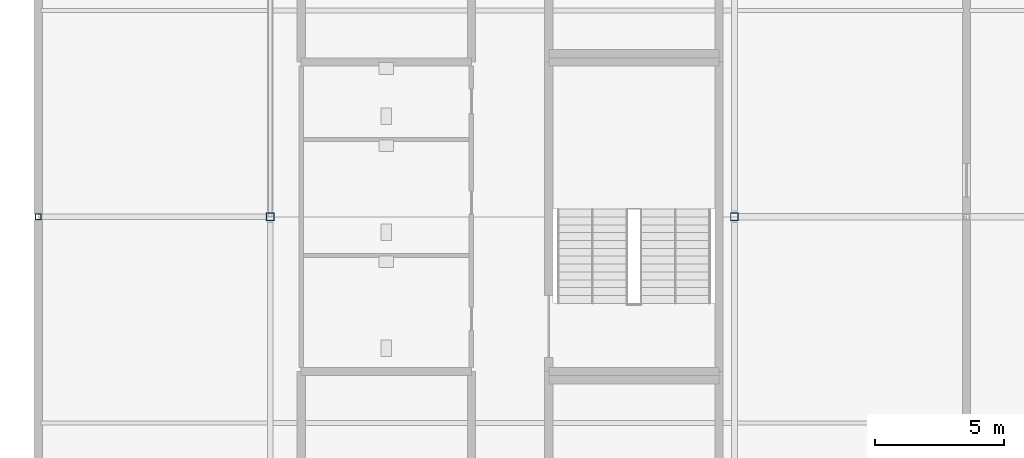
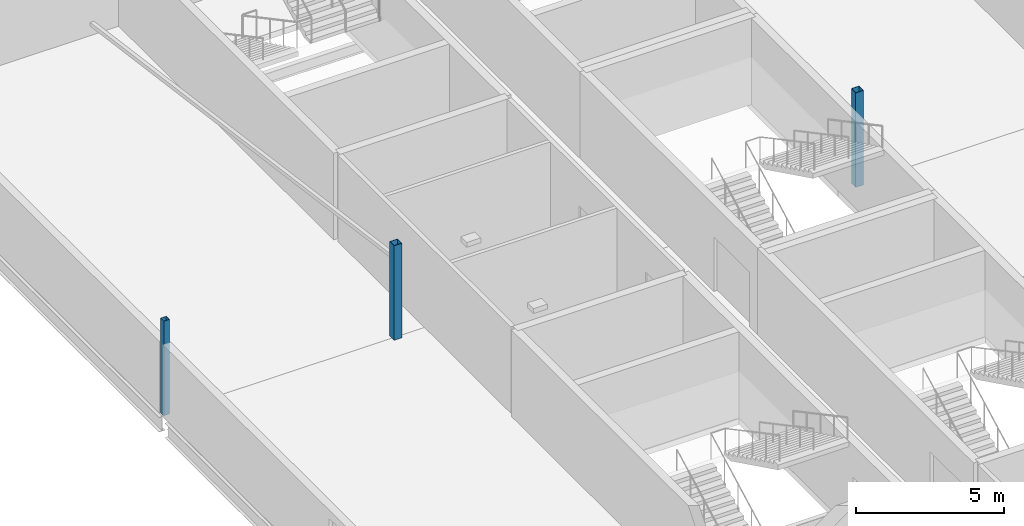
# One storey, part 4 of 55: 3 columns.
"""IFC4 building model written with IfcOpenShell, lengths in metres."""

from ifc_helpers import new_model, si_unit, direction, frame, origin, origin_2d, place, context, subcontext, project, spatial, hollow_rectangle, extrude, material, material_profile, profile_set, type_object, element, save


model = new_model("IFC4")

# Units and contexts
model_context = context("Model", 3, precision=1e-05, world=origin(), true_north=direction((0.0, 1.0)))
body_context = subcontext(model_context, "Body", "Model", "MODEL_VIEW")
ifc_project = project(units=[si_unit("LENGTHUNIT", "METRE"), si_unit("AREAUNIT", "SQUARE_METRE"), si_unit("VOLUMEUNIT", "CUBIC_METRE"), si_unit("PLANEANGLEUNIT", "RADIAN"), si_unit("MASSUNIT", "GRAM", prefix="KILO")], contexts=[model_context])

# Site, building, storey
site_placement = place(None, origin())
site = spatial("IfcSite", under=ifc_project, at=site_placement, CompositionType="ELEMENT")
building_placement = place(site_placement, origin())
building = spatial("IfcBuilding", under=site, at=building_placement, Name="Kisiwana Market Hall", CompositionType="ELEMENT")
storey_placement = place(building_placement, frame((0.0, 0.0, 37.800048828125)))
storey = spatial("IfcBuildingStorey", under=building, at=storey_placement, Name="L08", CompositionType="ELEMENT", Elevation=37.800048828125)

# Columns
ifc_material_1 = material(Name="Steel S355", Category="steel")
ifc_material_profile_1 = material_profile(ifc_material_1, hollow_rectangle(XDim=0.219970703125, YDim=0.219970703125, WallThickness=0.010009765625, at=origin_2d()), Name="SHS 220x220x10")
ifc_profile_set_1 = profile_set([ifc_material_profile_1], Name="Steel S355")
column_type_1 = type_object("IfcColumnType", Name="COL-STL-SHS220", PredefinedType="COLUMN", material=ifc_profile_set_1)
column_placement = place(storey_placement, frame((0.0, 60.0, 0.0), z_axis=(0.0, 0.0, 1.0), x_axis=(1.0, 0.0, 0.0)))
element("IfcColumn", 1, at=column_placement, inside=storey, type_object=column_type_1, Name="Column H/1 (L08) C-1157", PredefinedType="COLUMN", context=body_context, shape_type="SweptSolid", body=[
    extrude(hollow_rectangle(XDim=0.219970703125, YDim=0.219970703125, WallThickness=0.010009765625, at=origin_2d()), origin(), (0.0, 0.0, 1.0), 3.89990234375),
])
ifc_material_2 = material(Name="Steel S355", Category="steel")
ifc_material_profile_2 = material_profile(ifc_material_2, hollow_rectangle(XDim=0.300048828125, YDim=0.300048828125, WallThickness=0.012451171875, at=origin_2d()), Name="SHS 300x300x12.5")
ifc_profile_set_2 = profile_set([ifc_material_profile_2], Name="Steel S355")
column_type_2 = type_object("IfcColumnType", Name="COL-STL-SHS300", PredefinedType="COLUMN", material=ifc_profile_set_2)
for number, where, z_axis, x_axis, name in (
    (2, (27.0, 60.0, 0.0), (0.0, 0.0, 1.0), (1.0, 0.0, 0.0), "Column H/4 (L08) C-1170"),
    (3, (9.0, 60.0, 0.0), (0.0, 0.0, 1.0), (1.0, 0.0, 0.0), "Column H/2 (L08) C-1150"),
):
    element("IfcColumn", number, at=place(storey_placement, frame(where, z_axis=z_axis, x_axis=x_axis)), inside=storey, type_object=column_type_2, Name=name, PredefinedType="COLUMN", context=body_context, shape_type="SweptSolid", body=[
        extrude(hollow_rectangle(XDim=0.300048828125, YDim=0.300048828125, WallThickness=0.012451171875, at=origin_2d()), origin(), (0.0, 0.0, 1.0), 3.89990234375),
    ])

save(model, "model.ifc")
